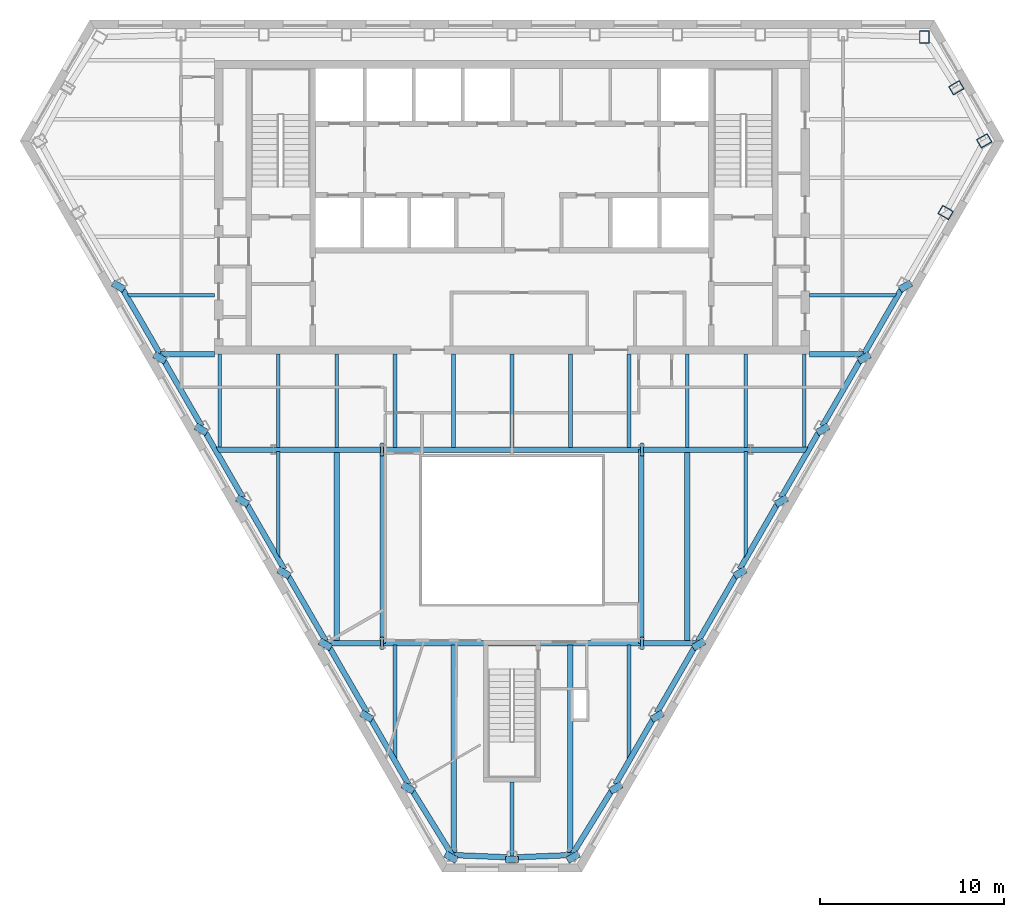
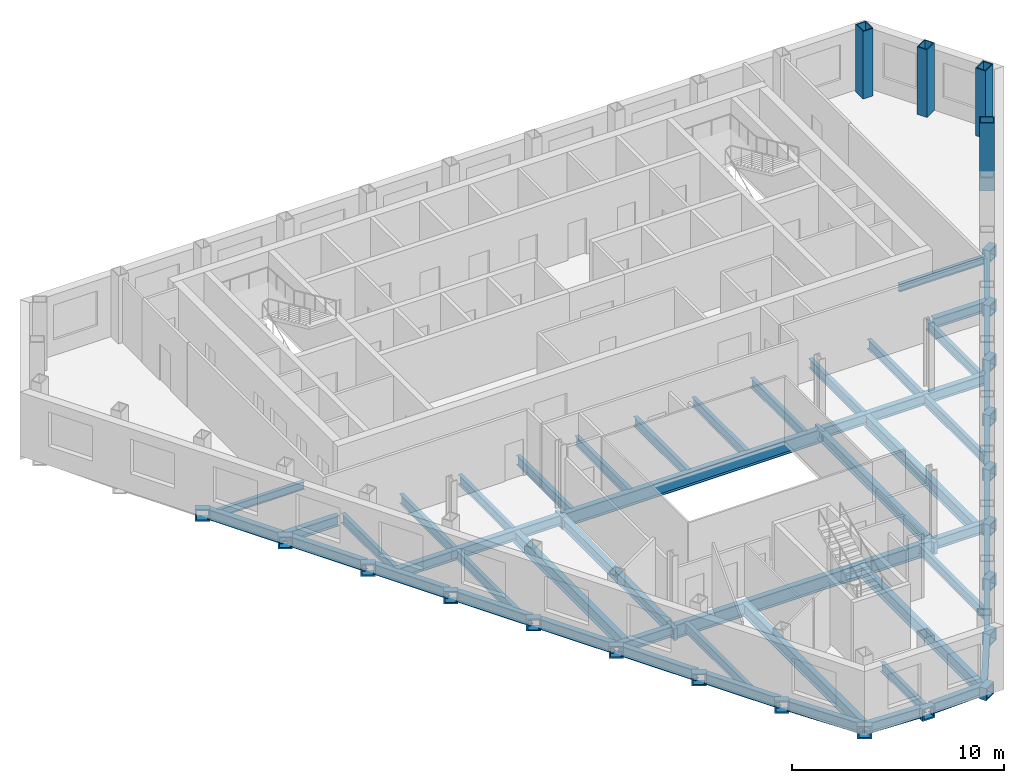
# One storey, part 2 of 10: 75 beams, 4 columns.
"""IFC4 building model written with IfcOpenShell, lengths in metres."""

import ifcopenshell
import ifcopenshell.guid

model = None  # the IFC model being written
_history = None  # IfcOwnerHistory: only IFC2X3 demands one
_inside = {}  # id of a spatial element -> (the spatial element, [elements in it])
_under = {}  # id of a project, library or spatial element -> (it, [spatial elements below it])
_declared = {}  # id of a project -> (the project, [libraries it declares])
_typed = {}  # id of a type object -> (the type object, [elements of that type])
_made_of = {}  # id of a material, layer set ... -> (it, [elements and type objects made of it])


def new_model(schema):
    """Start an empty IFC model of exactly this schema.

    Asked for "IFC4X3", IfcOpenShell would pick the latest addendum, in which some entities
    have other attributes; the version numbers below select the first issue.
    IFC2X3 requires an IfcOwnerHistory on every rooted entity: one is made here for all.
    """
    global model, _history
    if schema == "IFC4X3":
        model = ifcopenshell.file(schema_version=(4, 3, 0, 0))
    else:
        model = ifcopenshell.file(schema=schema)
    _inside.clear()
    _under.clear()
    _declared.clear()
    _typed.clear()
    _made_of.clear()
    _history = None
    if model.schema == "IFC2X3":
        org = make("IfcOrganization", Name="unknown")
        user = make(
            "IfcPersonAndOrganization",
            ThePerson=make("IfcPerson", FamilyName="unknown"),
            TheOrganization=org,
        )
        app = make(
            "IfcApplication",
            ApplicationDeveloper=org,
            Version="unknown",
            ApplicationFullName="unknown",
            ApplicationIdentifier="unknown",
        )
        _history = make(
            "IfcOwnerHistory",
            OwningUser=user,
            OwningApplication=app,
            ChangeAction="ADDED",
            CreationDate=0,
        )
    return model


def make(cls, **values):
    """One entity of the class cls with the attributes given. An attribute that is None is left unset."""
    return model.create_entity(
        cls, **{name: value for name, value in values.items() if value is not None}
    )


def rooted(cls, **values):
    """An entity with a GlobalId (a new one), such as an element, a storey or a relation."""
    return make(cls, GlobalId=ifcopenshell.guid.new(), OwnerHistory=_history, **values)


def si_unit(unit_type, name, prefix=None):
    """IfcSIUnit, for example si_unit("LENGTHUNIT", "METRE", prefix="MILLI")."""
    return make("IfcSIUnit", UnitType=unit_type, Prefix=prefix, Name=name)


def assignment(units):
    """IfcUnitAssignment: the units of a project."""
    return None if units is None else make("IfcUnitAssignment", Units=units)


def point(xyz):
    """IfcCartesianPoint."""
    return None if xyz is None else make("IfcCartesianPoint", Coordinates=xyz)


def direction(xyz):
    """IfcDirection."""
    return None if xyz is None else make("IfcDirection", DirectionRatios=xyz)


def frame(location, z_axis=None, x_axis=None):
    """IfcAxis2Placement3D, a coordinate frame: its origin and axes. An axis left out is left unset."""
    return make(
        "IfcAxis2Placement3D",
        Location=point(location),
        Axis=direction(z_axis),
        RefDirection=direction(x_axis),
    )


def frame_2d(location, x_axis=None):
    """IfcAxis2Placement2D, a coordinate frame in the plane: its origin and x axis."""
    return make(
        "IfcAxis2Placement2D", Location=point(location), RefDirection=direction(x_axis)
    )


def origin():
    """The frame at (0, 0, 0) with its axes left unset."""
    return frame((0.0, 0.0, 0.0))


def origin_2d():
    """The frame at (0, 0) in the plane with its x axis left unset."""
    return frame_2d((0.0, 0.0))


def place(relative_to, where):
    """IfcLocalPlacement: puts the frame where relative to a parent placement (None: the world)."""
    return make(
        "IfcLocalPlacement", PlacementRelTo=relative_to, RelativePlacement=where
    )


def context(
    kind, dimensions, precision=None, world=None, true_north=None, identifier=None
):
    """IfcGeometricRepresentationContext, for example the 3D "Model" context."""
    return make(
        "IfcGeometricRepresentationContext",
        ContextIdentifier=identifier,
        ContextType=kind,
        CoordinateSpaceDimension=dimensions,
        Precision=precision,
        WorldCoordinateSystem=world,
        TrueNorth=true_north,
    )


def subcontext(parent, identifier, kind, view, scale=None):
    """IfcGeometricRepresentationSubContext, for example "Body" below "Model"."""
    return make(
        "IfcGeometricRepresentationSubContext",
        ContextIdentifier=identifier,
        ContextType=kind,
        ParentContext=parent,
        TargetScale=scale,
        TargetView=view,
    )


def project(units=None, contexts=None):
    """IfcProject with its units and contexts."""
    return rooted(
        "IfcProject",
        Name="project",
        RepresentationContexts=contexts,
        UnitsInContext=assignment(units),
    )


def spatial(cls, under=None, at=None, **own):
    """A site, building, storey or space (cls), placed at a placement, below another one or the project."""
    s = rooted(cls, ObjectPlacement=at, **own)
    if under is not None:
        _under.setdefault(under.id(), (under, []))[1].append(s)
    return s


def profile(cls, at=None, kind="AREA", **sizes):
    """A parametric profile (cls). Its sizes go by their IFC names, for example OverallWidth=200.0."""
    return make(cls, ProfileType=kind, Position=at, **sizes)


def hollow_rectangle(**sizes):
    """IfcRectangleHollowProfileDef."""
    return profile("IfcRectangleHollowProfileDef", **sizes)


def i_section(**sizes):
    """IfcIShapeProfileDef."""
    return profile("IfcIShapeProfileDef", **sizes)


def extrude(swept, where, along, depth):
    """IfcExtrudedAreaSolid: the profile swept, set in the frame where, extruded along a direction by depth."""
    return make(
        "IfcExtrudedAreaSolid",
        SweptArea=swept,
        Position=where,
        ExtrudedDirection=direction(along),
        Depth=depth,
    )


def clip(a, b, op="DIFFERENCE"):
    """IfcBooleanClippingResult: the solid a cut by the half space b."""
    return make(
        "IfcBooleanClippingResult", Operator=op, FirstOperand=a, SecondOperand=b
    )


def halfspace(plane, agree):
    """IfcHalfSpaceSolid: all space on one side of the plane z = 0 of the frame plane."""
    return make(
        "IfcHalfSpaceSolid",
        BaseSurface=make("IfcPlane", Position=plane),
        AgreementFlag=agree,
    )


def shape(context_of_items, identifier, shape_type, items):
    """IfcShapeRepresentation: the items that make up one representation, for example the "Body"."""
    return make(
        "IfcShapeRepresentation",
        ContextOfItems=context_of_items,
        RepresentationIdentifier=identifier,
        RepresentationType=shape_type,
        Items=items,
    )


def material(Name=None, Category=None):
    """IfcMaterial."""
    return make("IfcMaterial", Name=Name, Category=Category)


def material_profile(
    of_material, cross_section, Name=None, Category=None, Priority=None
):
    """IfcMaterialProfile: a cross section and its material."""
    return make(
        "IfcMaterialProfile",
        Name=Name,
        Material=of_material,
        Profile=cross_section,
        Priority=Priority,
        Category=Category,
    )


def profile_set(profiles, Name=None, composite=None):
    """IfcMaterialProfileSet."""
    return make(
        "IfcMaterialProfileSet",
        Name=Name,
        MaterialProfiles=profiles,
        CompositeProfile=composite,
    )


def made_of(thing, what):
    """Note that an element or type object is made of a material, layer set ...; save() writes the relation."""
    if what is not None:
        _made_of.setdefault(what.id(), (what, []))[1].append(thing)
    return thing


def type_object(cls, material=None, **own):
    """A type object (cls), such as IfcWallType, which elements share."""
    return made_of(rooted(cls, **own), material)


def element(
    cls,
    number,
    at=None,
    inside=None,
    cuts=None,
    type_object=None,
    material=None,
    context=None,
    identifier="Body",
    shape_type=None,
    held_by="IfcProductDefinitionShape",
    body=None,
    shapes=None,
    **own,
):
    """One element of the class cls, such as IfcWall. Its Tag is "e" and its number.

    at: its placement. inside: the storey or other place that contains it. cuts: it is an
    opening in that element (IfcRelVoidsElement). A single representation is given by context,
    identifier, shape_type and body (its items); several are given by shapes. held_by: the class
    of the entity that holds the representations. save() writes the other relations.
    """
    e = rooted(cls, Tag="e%d" % number, ObjectPlacement=at, **own)
    if body is not None:
        shapes = [shape(context, identifier, shape_type, body)]
    if shapes is not None:
        e.Representation = make(held_by, Representations=shapes)
    if inside is not None:
        _inside.setdefault(inside.id(), (inside, []))[1].append(e)
    if cuts is not None:
        rooted(
            "IfcRelVoidsElement", RelatingBuildingElement=cuts, RelatedOpeningElement=e
        )
    if type_object is not None:
        _typed.setdefault(type_object.id(), (type_object, []))[1].append(e)
    return made_of(e, material)


def aggregate(whole, parts):
    """IfcRelAggregates: a whole, such as a stair, and the parts it consists of."""
    return rooted("IfcRelAggregates", RelatingObject=whole, RelatedObjects=parts)


def save(model, path):
    """Write the relations noted so far, then the file.

    IfcRelAggregates (storeys below a building ...), IfcRelContainedInSpatialStructure (elements
    in a storey), IfcRelDefinesByType, IfcRelAssociatesMaterial and IfcRelDeclares: one each for
    every whole, place, type object, material and project.
    """
    for whole, parts in _under.values():
        aggregate(whole, parts)
    for where, things in _inside.values():
        rooted(
            "IfcRelContainedInSpatialStructure",
            RelatedElements=things,
            RelatingStructure=where,
        )
    for kind, things in _typed.values():
        rooted("IfcRelDefinesByType", RelatedObjects=things, RelatingType=kind)
    for what, things in _made_of.values():
        rooted("IfcRelAssociatesMaterial", RelatedObjects=things, RelatingMaterial=what)
    for by, libraries in _declared.values():
        rooted("IfcRelDeclares", RelatingContext=by, RelatedDefinitions=libraries)
    model.write(path)


model = new_model("IFC4")

# Units and contexts
model_context = context("Model", 3, precision=1e-05, world=origin(), true_north=direction((0.0, 1.0)))
body_context = subcontext(model_context, "Body", "Model", "MODEL_VIEW")
ifc_project = project(units=[si_unit("LENGTHUNIT", "METRE"), si_unit("AREAUNIT", "SQUARE_METRE"), si_unit("VOLUMEUNIT", "CUBIC_METRE"), si_unit("PLANEANGLEUNIT", "RADIAN"), si_unit("MASSUNIT", "GRAM", prefix="KILO")], contexts=[model_context])

# Site, building, storey
site_placement = place(None, origin())
site = spatial("IfcSite", under=ifc_project, at=site_placement, CompositionType="ELEMENT")
building_placement = place(site_placement, origin())
building = spatial("IfcBuilding", under=site, at=building_placement, Name="Njiva Tower", CompositionType="ELEMENT")
storey_placement = place(building_placement, frame((0.0, 0.0, 192.6)))
storey = spatial("IfcBuildingStorey", under=building, at=storey_placement, Name="L42", CompositionType="ELEMENT", Elevation=192.6)

# Columns
ifc_material = material(Name="Steel S355 J2", Category="steel")
ifc_material_profile_1 = material_profile(ifc_material, hollow_rectangle(XDim=0.55, YDim=0.7, WallThickness=0.05, at=origin_2d()), Name="BOX 700x550x50")
ifc_profile_set_1 = profile_set([ifc_material_profile_1], Name="Steel S355 J2")
column_type = type_object("IfcColumnType", Name="C11 Perimeter tube column BOX 700x550x50", PredefinedType="COLUMN", material=ifc_profile_set_1)
for number, where, z_axis, x_axis, name in (
    (1, (22.461, 19.267, 0.0), (0.0, 0.0, 1.0), (-1.0, 0.0, 0.0), "Perimeter tube column S14-C01"),
    (2, (23.622, 9.714, 0.0), (0.0, 0.0, 1.0), (0.5, 0.866025403784, 0.0), "Perimeter tube column S14-C34"),
    (3, (25.723, 13.618, 0.0), (0.0, 0.0, 1.0), (-0.5, 0.866025403784, 0.0), "Perimeter tube column S14-C35"),
    (4, (24.207, 16.509, 0.0), (0.0, 0.0, 1.0), (-0.5, 0.866025403784, 0.0), "Perimeter tube column S14-C36"),
):
    element("IfcColumn", number, at=place(storey_placement, frame(where, z_axis=z_axis, x_axis=x_axis)), inside=storey, type_object=column_type, Name=name, PredefinedType="COLUMN", context=body_context, shape_type="SweptSolid", body=[
        extrude(hollow_rectangle(XDim=0.55, YDim=0.7, WallThickness=0.05, at=origin_2d()), origin(), (0.0, 0.0, 1.0), 3.9),
    ])

# Beams
ifc_material_profile_2 = material_profile(ifc_material, i_section(OverallWidth=0.3, OverallDepth=0.69, WebThickness=0.0145, FlangeThickness=0.027, at=origin_2d()), Name="HEA 700")
ifc_profile_set_2 = profile_set([ifc_material_profile_2], Name="Steel S355 J2")
beam_type_1 = type_object("IfcBeamType", Name="B12 Long-span floor joist HEA 700", PredefinedType="JOIST", material=ifc_profile_set_2)
beam_1_placement = place(storey_placement, frame((-9.55, -3.3, -0.545), z_axis=(0.0, -1.0, 0.0), x_axis=(1.0, 0.0, 0.0)))
element("IfcBeam", 5, at=beam_1_placement, inside=storey, type_object=beam_type_1, Name="Long-span floor joist S14-B055", PredefinedType="JOIST", context=body_context, shape_type="SweptSolid", body=[
    extrude(i_section(OverallWidth=0.3, OverallDepth=0.69, WebThickness=0.0145, FlangeThickness=0.027, at=origin_2d()), origin(), (0.0, 0.0, 1.0), 10.35),
])
beam_2_placement = place(storey_placement, frame((-3.183, -13.85, -0.545), z_axis=(0.0, -1.0, 0.0), x_axis=(1.0, 0.0, 0.0)))
element("IfcBeam", 6, at=beam_2_placement, inside=storey, type_object=beam_type_1, Name="Long-span floor joist S14-B059", PredefinedType="JOIST", context=body_context, shape_type="SweptSolid", body=[
    extrude(i_section(OverallWidth=0.3, OverallDepth=0.69, WebThickness=0.0145, FlangeThickness=0.027, at=origin_2d()), origin(), (0.0, 0.0, 1.0), 11.361),
])
beam_3_placement = place(storey_placement, frame((3.183, -13.85, -0.545), z_axis=(0.0, -1.0, 0.0), x_axis=(1.0, 0.0, 0.0)))
element("IfcBeam", 7, at=beam_3_placement, inside=storey, type_object=beam_type_1, Name="Long-span floor joist S14-B065", PredefinedType="JOIST", context=body_context, shape_type="Clipping", body=[
    clip(extrude(i_section(OverallWidth=0.3, OverallDepth=0.69, WebThickness=0.0145, FlangeThickness=0.027, at=origin_2d()), origin(), (0.0, 0.0, 1.0), 11.623), halfspace(frame((0.0436, 0.0, 11.3457), z_axis=(0.866026552831, 0.0, 0.499998009787), x_axis=(0.0, 1.0, 0.0)), False)),
])
beam_4_placement = place(storey_placement, frame((9.55, -3.3, -0.545), z_axis=(0.0, -1.0, 0.0), x_axis=(1.0, 0.0, 0.0)))
element("IfcBeam", 8, at=beam_4_placement, inside=storey, type_object=beam_type_1, Name="Long-span floor joist S14-B070", PredefinedType="JOIST", context=body_context, shape_type="SweptSolid", body=[
    extrude(i_section(OverallWidth=0.3, OverallDepth=0.69, WebThickness=0.0145, FlangeThickness=0.027, at=origin_2d()), origin(), (0.0, 0.0, 1.0), 10.35),
])
ifc_material_profile_3 = material_profile(ifc_material, hollow_rectangle(XDim=0.7, YDim=0.7, WallThickness=0.08, at=origin_2d()), Name="BOX 700x700x80")
ifc_profile_set_3 = profile_set([ifc_material_profile_3], Name="Steel S355 J2")
beam_type_2 = type_object("IfcBeamType", Name="B19 Column jog beam BOX 700x700x80", PredefinedType="BEAM", material=ifc_profile_set_3)
for number, where, z_axis, x_axis, name in (
    (9, (-21.529, 5.534, -0.55), (0.500102178127, 0.865966403178, 0.0), (-0.865966403178, 0.500102178127, 0.0), "Column jog beam S14-B026"),
    (10, (-19.275, 1.63, -0.55), (0.500102178127, 0.865966403178, 0.0), (-0.865966403178, 0.500102178127, 0.0), "Column jog beam S14-B027"),
    (11, (-17.021, -2.274, -0.55), (0.500102178127, 0.865966403178, 0.0), (-0.865966403178, 0.500102178127, 0.0), "Column jog beam S14-B028"),
):
    element("IfcBeam", number, at=place(storey_placement, frame(where, z_axis=z_axis, x_axis=x_axis)), inside=storey, type_object=beam_type_2, Name=name, PredefinedType="BEAM", context=body_context, shape_type="SweptSolid", body=[
        extrude(hollow_rectangle(XDim=0.7, YDim=0.7, WallThickness=0.08, at=origin_2d()), origin(), (0.0, 0.0, 1.0), 0.3799),
    ])
beam_5_placement = place(storey_placement, frame((-14.767, -6.178, -0.55), z_axis=(0.498964444867, 0.866622456874, 0.0), x_axis=(-0.866622456874, 0.498964444867, 0.0)))
element("IfcBeam", 12, at=beam_5_placement, inside=storey, type_object=beam_type_2, Name="Column jog beam S14-B029", PredefinedType="BEAM", context=body_context, shape_type="SweptSolid", body=[
    extrude(hollow_rectangle(XDim=0.7, YDim=0.7, WallThickness=0.08, at=origin_2d()), origin(), (0.0, 0.0, 1.0), 0.3808),
])
for number, where, z_axis, x_axis, name in (
    (13, (-12.513, -10.081, -0.55), (0.500102178127, 0.865966403178, 0.0), (-0.865966403178, 0.500102178127, 0.0), "Column jog beam S14-B030"),
    (14, (-10.26, -13.985, -0.55), (0.500102178127, 0.865966403178, 0.0), (-0.865966403178, 0.500102178127, 0.0), "Column jog beam S14-B031"),
    (15, (-8.006, -17.889, -0.55), (0.500102178127, 0.865966403178, 0.0), (-0.865966403178, 0.500102178127, 0.0), "Column jog beam S14-B032"),
    (16, (-5.752, -21.792, -0.55), (0.500102178127, 0.865966403178, 0.0), (-0.865966403178, 0.500102178127, 0.0), "Column jog beam S14-B035"),
    (17, (-3.421, -25.563, -0.55), (0.500102178127, 0.865966403178, 0.0), (-0.865966403178, 0.500102178127, 0.0), "Column jog beam S14-B036"),
):
    element("IfcBeam", number, at=place(storey_placement, frame(where, z_axis=z_axis, x_axis=x_axis)), inside=storey, type_object=beam_type_2, Name=name, PredefinedType="BEAM", context=body_context, shape_type="SweptSolid", body=[
        extrude(hollow_rectangle(XDim=0.7, YDim=0.7, WallThickness=0.08, at=origin_2d()), origin(), (0.0, 0.0, 1.0), 0.3799),
    ])
beam_6_placement = place(storey_placement, frame((0.0, -25.704, -0.55), z_axis=(0.0, 1.0, 0.0), x_axis=(-1.0, 0.0, 0.0)))
element("IfcBeam", 18, at=beam_6_placement, inside=storey, type_object=beam_type_2, Name="Column jog beam S14-B037", PredefinedType="BEAM", context=body_context, shape_type="SweptSolid", body=[
    extrude(hollow_rectangle(XDim=0.7, YDim=0.7, WallThickness=0.08, at=origin_2d()), origin(), (0.0, 0.0, 1.0), 0.345),
])
for number, where, z_axis, x_axis, name in (
    (19, (3.421, -25.563, -0.55), (-0.500102178127, 0.865966403178, 0.0), (-0.865966403178, -0.500102178127, 0.0), "Column jog beam S14-B038"),
    (20, (5.752, -21.792, -0.55), (-0.500102178127, 0.865966403178, 0.0), (-0.865966403178, -0.500102178127, 0.0), "Column jog beam S14-B039"),
    (21, (8.006, -17.889, -0.55), (-0.500102178127, 0.865966403178, 0.0), (-0.865966403178, -0.500102178127, 0.0), "Column jog beam S14-B042"),
    (22, (10.26, -13.985, -0.55), (-0.500102178127, 0.865966403178, 0.0), (-0.865966403178, -0.500102178127, 0.0), "Column jog beam S14-B043"),
    (23, (12.513, -10.081, -0.55), (-0.500102178127, 0.865966403178, 0.0), (-0.865966403178, -0.500102178127, 0.0), "Column jog beam S14-B044"),
):
    element("IfcBeam", number, at=place(storey_placement, frame(where, z_axis=z_axis, x_axis=x_axis)), inside=storey, type_object=beam_type_2, Name=name, PredefinedType="BEAM", context=body_context, shape_type="SweptSolid", body=[
        extrude(hollow_rectangle(XDim=0.7, YDim=0.7, WallThickness=0.08, at=origin_2d()), origin(), (0.0, 0.0, 1.0), 0.3799),
    ])
beam_7_placement = place(storey_placement, frame((14.767, -6.178, -0.55), z_axis=(-0.498964444867, 0.866622456874, 0.0), x_axis=(-0.866622456874, -0.498964444867, 0.0)))
element("IfcBeam", 24, at=beam_7_placement, inside=storey, type_object=beam_type_2, Name="Column jog beam S14-B045", PredefinedType="BEAM", context=body_context, shape_type="SweptSolid", body=[
    extrude(hollow_rectangle(XDim=0.7, YDim=0.7, WallThickness=0.08, at=origin_2d()), origin(), (0.0, 0.0, 1.0), 0.3808),
])
for number, where, z_axis, x_axis, name in (
    (25, (17.021, -2.274, -0.55), (-0.500102178127, 0.865966403178, 0.0), (-0.865966403178, -0.500102178127, 0.0), "Column jog beam S14-B046"),
    (26, (19.275, 1.63, -0.55), (-0.500102178127, 0.865966403178, 0.0), (-0.865966403178, -0.500102178127, 0.0), "Column jog beam S14-B047"),
    (27, (21.529, 5.534, -0.55), (-0.500102178127, 0.865966403178, 0.0), (-0.865966403178, -0.500102178127, 0.0), "Column jog beam S14-B048"),
):
    element("IfcBeam", number, at=place(storey_placement, frame(where, z_axis=z_axis, x_axis=x_axis)), inside=storey, type_object=beam_type_2, Name=name, PredefinedType="BEAM", context=body_context, shape_type="SweptSolid", body=[
        extrude(hollow_rectangle(XDim=0.7, YDim=0.7, WallThickness=0.08, at=origin_2d()), origin(), (0.0, 0.0, 1.0), 0.3799),
    ])
for number, where, z_axis, x_axis, name in (
    (28, (7.17, -3.2, -0.55), (-1.0, 0.0, 0.0), (0.0, -1.0, 0.0), "Column jog beam S14-B041"),
    (29, (-7.17, -3.2, -0.55), (1.0, 0.0, 0.0), (0.0, 1.0, 0.0), "Column jog beam S14-B034"),
    (30, (7.17, -13.75, -0.55), (-1.0, 0.0, 0.0), (0.0, -1.0, 0.0), "Column jog beam S14-B040"),
    (31, (-7.17, -13.75, -0.55), (1.0, 0.0, 0.0), (0.0, 1.0, 0.0), "Column jog beam S14-B033"),
):
    element("IfcBeam", number, at=place(storey_placement, frame(where, z_axis=z_axis, x_axis=x_axis)), inside=storey, type_object=beam_type_2, Name=name, PredefinedType="BEAM", context=body_context, shape_type="SweptSolid", body=[
        extrude(hollow_rectangle(XDim=0.7, YDim=0.7, WallThickness=0.08, at=origin_2d()), origin(), (0.0, 0.0, 1.0), 0.18),
    ])
ifc_material_profile_4 = material_profile(ifc_material, i_section(OverallWidth=0.3, OverallDepth=0.59, WebThickness=0.013, FlangeThickness=0.025, at=origin_2d()), Name="HEA 600")
ifc_profile_set_4 = profile_set([ifc_material_profile_4], Name="Steel S355 J2")
beam_type_3 = type_object("IfcBeamType", Name="B27 Short-span spandrel beam HEA 600", PredefinedType="SPANDREL", material=ifc_profile_set_4)
for number, where, z_axis, x_axis, name in (
    (32, (-21.191, 5.504, -0.495), (0.499928631667, -0.86606660439, 0.0), (0.86606660439, 0.499928631667, 0.0), "Short-span spandrel beam S14-B091"),
    (33, (-18.937, 1.6, -0.495), (0.499928631667, -0.86606660439, 0.0), (0.86606660439, 0.499928631667, 0.0), "Short-span spandrel beam S14-B093"),
    (34, (-16.683, -2.304, -0.495), (0.499928631667, -0.86606660439, 0.0), (0.86606660439, 0.499928631667, 0.0), "Short-span spandrel beam S14-B096"),
):
    element("IfcBeam", number, at=place(storey_placement, frame(where, z_axis=z_axis, x_axis=x_axis)), inside=storey, type_object=beam_type_3, Name=name, PredefinedType="SPANDREL", context=body_context, shape_type="SweptSolid", body=[
        extrude(i_section(OverallWidth=0.3, OverallDepth=0.59, WebThickness=0.013, FlangeThickness=0.025, at=origin_2d()), origin(), (0.0, 0.0, 1.0), 4.0586),
    ])
beam_8_placement = place(storey_placement, frame((-14.429, -6.208, -0.495), z_axis=(0.49985047257, -0.866111716277, 0.0), x_axis=(0.866111716277, 0.49985047257, 0.0)))
element("IfcBeam", 35, at=beam_8_placement, inside=storey, type_object=beam_type_3, Name="Short-span spandrel beam S14-B098", PredefinedType="SPANDREL", context=body_context, shape_type="SweptSolid", body=[
    extrude(i_section(OverallWidth=0.3, OverallDepth=0.59, WebThickness=0.013, FlangeThickness=0.025, at=origin_2d()), origin(), (0.0, 0.0, 1.0), 4.0572),
])
for number, where, z_axis, x_axis, name in (
    (36, (-12.176, -10.111, -0.495), (0.500035331196, -0.866005004348, 0.0), (0.866005004348, 0.500035331196, 0.0), "Short-span spandrel beam S14-B101"),
    (37, (-9.922, -14.015, -0.495), (0.500035331196, -0.866005004348, 0.0), (0.866005004348, 0.500035331196, 0.0), "Short-span spandrel beam S14-B103"),
):
    element("IfcBeam", number, at=place(storey_placement, frame(where, z_axis=z_axis, x_axis=x_axis)), inside=storey, type_object=beam_type_3, Name=name, PredefinedType="SPANDREL", context=body_context, shape_type="SweptSolid", body=[
        extrude(i_section(OverallWidth=0.3, OverallDepth=0.59, WebThickness=0.013, FlangeThickness=0.025, at=origin_2d()), origin(), (0.0, 0.0, 1.0), 4.0577),
    ])
beam_9_placement = place(storey_placement, frame((-7.668, -17.919, -0.495), z_axis=(0.49985047257, -0.866111716277, 0.0), x_axis=(0.866111716277, 0.49985047257, 0.0)))
element("IfcBeam", 38, at=beam_9_placement, inside=storey, type_object=beam_type_3, Name="Short-span spandrel beam S14-B106", PredefinedType="SPANDREL", context=body_context, shape_type="SweptSolid", body=[
    extrude(i_section(OverallWidth=0.3, OverallDepth=0.59, WebThickness=0.013, FlangeThickness=0.025, at=origin_2d()), origin(), (0.0, 0.0, 1.0), 4.0572),
])
beam_10_placement = place(storey_placement, frame((-5.404, -21.819, -0.495), z_axis=(0.525663730248, -0.850692448951, 0.0), x_axis=(0.850692448951, 0.525663730248, 0.0)))
element("IfcBeam", 39, at=beam_10_placement, inside=storey, type_object=beam_type_3, Name="Short-span spandrel beam S14-B108", PredefinedType="SPANDREL", context=body_context, shape_type="Clipping", body=[
    clip(extrude(i_section(OverallWidth=0.3, OverallDepth=0.59, WebThickness=0.013, FlangeThickness=0.025, at=origin_2d()), origin(), (0.0, 0.0, 1.0), 4.1003), halfspace(frame((-0.0259, 0.0, 3.9714), z_axis=(-0.525663730248, 0.0, 0.850692448951), x_axis=(0.0, 1.0, 0.0)), False)),
])
beam_11_placement = place(storey_placement, frame((-3.161, -25.29, -0.495), z_axis=(0.999163512654, -0.040893458908, 0.0), x_axis=(0.040893458908, 0.999163512654, 0.0)))
element("IfcBeam", 40, at=beam_11_placement, inside=storey, type_object=beam_type_3, Name="Short-span spandrel beam S14-B110", PredefinedType="SPANDREL", context=body_context, shape_type="SweptSolid", body=[
    extrude(i_section(OverallWidth=0.3, OverallDepth=0.59, WebThickness=0.013, FlangeThickness=0.025, at=origin_2d()), origin(), (0.0, 0.0, 1.0), 2.9345),
])
beam_12_placement = place(storey_placement, frame((0.229, -25.41, -0.495), z_axis=(0.999155868616, 0.041079802957, 0.0), x_axis=(-0.041079802957, 0.999155868616, 0.0)))
element("IfcBeam", 41, at=beam_12_placement, inside=storey, type_object=beam_type_3, Name="Short-span spandrel beam S14-B114", PredefinedType="SPANDREL", context=body_context, shape_type="Clipping", body=[
    clip(extrude(i_section(OverallWidth=0.3, OverallDepth=0.59, WebThickness=0.013, FlangeThickness=0.025, at=origin_2d()), origin(), (0.0, 0.0, 1.0), 3.0605), halfspace(frame((-0.0272, 0.0, 2.9291), z_axis=(-0.535152145921, 0.0, 0.844755692918), x_axis=(0.0, 1.0, 0.0)), False)),
])
beam_13_placement = place(storey_placement, frame((3.313, -25.202, -0.495), z_axis=(0.525765866167, 0.850629328188, 0.0), x_axis=(-0.850629328188, 0.525765866167, 0.0)))
element("IfcBeam", 42, at=beam_13_placement, inside=storey, type_object=beam_type_3, Name="Short-span spandrel beam S14-B115", PredefinedType="SPANDREL", context=body_context, shape_type="SweptSolid", body=[
    extrude(i_section(OverallWidth=0.3, OverallDepth=0.59, WebThickness=0.013, FlangeThickness=0.025, at=origin_2d()), origin(), (0.0, 0.0, 1.0), 3.9771),
])
beam_14_placement = place(storey_placement, frame((5.64, -21.433, -0.495), z_axis=(0.49985047257, 0.866111716277, 0.0), x_axis=(-0.866111716277, 0.49985047257, 0.0)))
element("IfcBeam", 43, at=beam_14_placement, inside=storey, type_object=beam_type_3, Name="Short-span spandrel beam S14-B118", PredefinedType="SPANDREL", context=body_context, shape_type="SweptSolid", body=[
    extrude(i_section(OverallWidth=0.3, OverallDepth=0.59, WebThickness=0.013, FlangeThickness=0.025, at=origin_2d()), origin(), (0.0, 0.0, 1.0), 4.0572),
])
for number, where, z_axis, x_axis, name in (
    (44, (7.893, -17.529, -0.495), (0.500035331196, 0.866005004348, 0.0), (-0.866005004348, 0.500035331196, 0.0), "Short-span spandrel beam S14-B120"),
    (45, (10.147, -13.625, -0.495), (0.500035331196, 0.866005004348, 0.0), (-0.866005004348, 0.500035331196, 0.0), "Short-span spandrel beam S14-B123"),
):
    element("IfcBeam", number, at=place(storey_placement, frame(where, z_axis=z_axis, x_axis=x_axis)), inside=storey, type_object=beam_type_3, Name=name, PredefinedType="SPANDREL", context=body_context, shape_type="SweptSolid", body=[
        extrude(i_section(OverallWidth=0.3, OverallDepth=0.59, WebThickness=0.013, FlangeThickness=0.025, at=origin_2d()), origin(), (0.0, 0.0, 1.0), 4.0577),
    ])
beam_15_placement = place(storey_placement, frame((12.401, -9.722, -0.495), z_axis=(0.49985047257, 0.866111716277, 0.0), x_axis=(-0.866111716277, 0.49985047257, 0.0)))
element("IfcBeam", 46, at=beam_15_placement, inside=storey, type_object=beam_type_3, Name="Short-span spandrel beam S14-B125", PredefinedType="SPANDREL", context=body_context, shape_type="SweptSolid", body=[
    extrude(i_section(OverallWidth=0.3, OverallDepth=0.59, WebThickness=0.013, FlangeThickness=0.025, at=origin_2d()), origin(), (0.0, 0.0, 1.0), 4.0572),
])
for number, where, z_axis, x_axis, name in (
    (47, (14.654, -5.819, -0.495), (0.499928631667, 0.86606660439, 0.0), (-0.86606660439, 0.499928631667, 0.0), "Short-span spandrel beam S14-B128"),
    (48, (16.908, -1.915, -0.495), (0.499928631667, 0.86606660439, 0.0), (-0.86606660439, 0.499928631667, 0.0), "Short-span spandrel beam S14-B130"),
    (49, (19.162, 1.989, -0.495), (0.499928631667, 0.86606660439, 0.0), (-0.86606660439, 0.499928631667, 0.0), "Short-span spandrel beam S14-B133"),
):
    element("IfcBeam", number, at=place(storey_placement, frame(where, z_axis=z_axis, x_axis=x_axis)), inside=storey, type_object=beam_type_3, Name=name, PredefinedType="SPANDREL", context=body_context, shape_type="SweptSolid", body=[
        extrude(i_section(OverallWidth=0.3, OverallDepth=0.59, WebThickness=0.013, FlangeThickness=0.025, at=origin_2d()), origin(), (0.0, 0.0, 1.0), 4.0586),
    ])
ifc_material_profile_5 = material_profile(ifc_material, i_section(OverallWidth=0.3, OverallDepth=0.59, WebThickness=0.013, FlangeThickness=0.025, at=origin_2d()), Name="HEA 600")
ifc_profile_set_5 = profile_set([ifc_material_profile_5], Name="Steel S355 J2")
beam_type_4 = type_object("IfcBeamType", Name="B28 Floor girder HEA 600", PredefinedType="BEAM", material=ifc_profile_set_5)
for number, where, z_axis, x_axis, name in (
    (50, (-13.0, -3.2, -0.495), (1.0, 0.0, 0.0), (0.0, 1.0, 0.0), "Floor girder S14-B014"),
    (51, (7.05, -3.2, -0.495), (1.0, 0.0, 0.0), (0.0, 1.0, 0.0), "Floor girder S14-B019"),
):
    element("IfcBeam", number, at=place(storey_placement, frame(where, z_axis=z_axis, x_axis=x_axis)), inside=storey, type_object=beam_type_4, Name=name, PredefinedType="BEAM", context=body_context, shape_type="SweptSolid", body=[
        extrude(i_section(OverallWidth=0.3, OverallDepth=0.59, WebThickness=0.013, FlangeThickness=0.025, at=origin_2d()), origin(), (0.0, 0.0, 1.0), 5.95),
    ])
ifc_material_profile_6 = material_profile(ifc_material, i_section(OverallWidth=0.3, OverallDepth=0.59, WebThickness=0.013, FlangeThickness=0.025, at=origin_2d()), Name="HEA 600")
ifc_profile_set_6 = profile_set([ifc_material_profile_6], Name="Steel S355 J2")
beam_type_5 = type_object("IfcBeamType", Name="B29 Short-span floor girder HEA 600", PredefinedType="BEAM", material=ifc_profile_set_6)
beam_16_placement = place(storey_placement, frame((-16.158, -3.2, -0.495), z_axis=(1.0, 0.0, 0.0), x_axis=(0.0, 1.0, 0.0)))
element("IfcBeam", 52, at=beam_16_placement, inside=storey, type_object=beam_type_5, Name="Short-span floor girder S14-B013", PredefinedType="BEAM", context=body_context, shape_type="Clipping", body=[
    clip(extrude(i_section(OverallWidth=0.3, OverallDepth=0.59, WebThickness=0.013, FlangeThickness=0.025, at=origin_2d()), origin(), (0.0, 0.0, 1.0), 3.158), halfspace(frame((-0.025, 0.0, 0.1217), z_axis=(-0.499998009787, 0.0, -0.866026552831), x_axis=(0.0, -1.0, 0.0)), False)),
])
beam_17_placement = place(storey_placement, frame((13.0, -3.2, -0.495), z_axis=(1.0, 0.0, 0.0), x_axis=(0.0, 1.0, 0.0)))
element("IfcBeam", 53, at=beam_17_placement, inside=storey, type_object=beam_type_5, Name="Short-span floor girder S14-B020", PredefinedType="BEAM", context=body_context, shape_type="Clipping", body=[
    clip(extrude(i_section(OverallWidth=0.3, OverallDepth=0.59, WebThickness=0.013, FlangeThickness=0.025, at=origin_2d()), origin(), (0.0, 0.0, 1.0), 3.158), halfspace(frame((-0.025, 0.0, 3.0363), z_axis=(-0.499998009787, 0.0, 0.866026552831), x_axis=(0.0, 1.0, 0.0)), False)),
])
beam_18_placement = place(storey_placement, frame((-10.096, -13.75, -0.495), z_axis=(1.0, 0.0, 0.0), x_axis=(0.0, 1.0, 0.0)))
element("IfcBeam", 54, at=beam_18_placement, inside=storey, type_object=beam_type_5, Name="Short-span floor girder S14-B015", PredefinedType="BEAM", context=body_context, shape_type="Clipping", body=[
    clip(extrude(i_section(OverallWidth=0.3, OverallDepth=0.59, WebThickness=0.013, FlangeThickness=0.025, at=origin_2d()), origin(), (0.0, 0.0, 1.0), 3.046), halfspace(frame((-0.025, 0.0, 0.1212), z_axis=(-0.499998009787, 0.0, -0.866026552831), x_axis=(0.0, -1.0, 0.0)), False)),
])
beam_19_placement = place(storey_placement, frame((7.05, -13.75, -0.495), z_axis=(1.0, 0.0, 0.0), x_axis=(0.0, 1.0, 0.0)))
element("IfcBeam", 55, at=beam_19_placement, inside=storey, type_object=beam_type_5, Name="Short-span floor girder S14-B018", PredefinedType="BEAM", context=body_context, shape_type="Clipping", body=[
    clip(extrude(i_section(OverallWidth=0.3, OverallDepth=0.59, WebThickness=0.013, FlangeThickness=0.025, at=origin_2d()), origin(), (0.0, 0.0, 1.0), 3.046), halfspace(frame((-0.025, 0.0, 2.9248), z_axis=(-0.499998009787, 0.0, 0.866026552831), x_axis=(0.0, 1.0, 0.0)), False)),
])
beam_20_placement = place(storey_placement, frame((-19.189, 2.0, -0.495), z_axis=(1.0, 0.0, 0.0), x_axis=(0.0, 1.0, 0.0)))
element("IfcBeam", 56, at=beam_20_placement, inside=storey, type_object=beam_type_5, Name="Short-span floor girder S14-B011", PredefinedType="BEAM", context=body_context, shape_type="Clipping", body=[
    clip(extrude(i_section(OverallWidth=0.3, OverallDepth=0.59, WebThickness=0.013, FlangeThickness=0.025, at=origin_2d()), origin(), (0.0, 0.0, 1.0), 2.989), halfspace(frame((-0.025, 0.0, 0.1212), z_axis=(-0.499998009787, 0.0, -0.866026552831), x_axis=(0.0, -1.0, 0.0)), False)),
])
beam_21_placement = place(storey_placement, frame((16.2, 2.0, -0.495), z_axis=(1.0, 0.0, 0.0), x_axis=(0.0, 1.0, 0.0)))
element("IfcBeam", 57, at=beam_21_placement, inside=storey, type_object=beam_type_5, Name="Short-span floor girder S14-B022", PredefinedType="BEAM", context=body_context, shape_type="Clipping", body=[
    clip(extrude(i_section(OverallWidth=0.3, OverallDepth=0.59, WebThickness=0.013, FlangeThickness=0.025, at=origin_2d()), origin(), (0.0, 0.0, 1.0), 2.989), halfspace(frame((-0.025, 0.0, 2.8678), z_axis=(-0.499998009787, 0.0, 0.866026552831), x_axis=(0.0, 1.0, 0.0)), False)),
])
ifc_material_profile_7 = material_profile(ifc_material, i_section(OverallWidth=0.3, OverallDepth=0.59, WebThickness=0.013, FlangeThickness=0.025, at=origin_2d()), Name="HEA 600")
ifc_profile_set_7 = profile_set([ifc_material_profile_7], Name="Steel S355 J2")
beam_type_6 = type_object("IfcBeamType", Name="B30 Long-span atrium trimmer beam HEA 600", PredefinedType="BEAM", material=ifc_profile_set_7)
for number, where, z_axis, x_axis, name in (
    (58, (7.05, -13.75, -0.495), (0.0, 1.0, 0.0), (-1.0, 0.0, 0.0), "Long-span atrium trimmer beam S14-B079"),
    (59, (-7.05, -3.2, -0.495), (0.0, -1.0, 0.0), (1.0, 0.0, 0.0), "Long-span atrium trimmer beam S14-B075"),
):
    element("IfcBeam", number, at=place(storey_placement, frame(where, z_axis=z_axis, x_axis=x_axis)), inside=storey, type_object=beam_type_6, Name=name, PredefinedType="BEAM", context=body_context, shape_type="SweptSolid", body=[
        extrude(i_section(OverallWidth=0.3, OverallDepth=0.59, WebThickness=0.013, FlangeThickness=0.025, at=origin_2d()), origin(), (0.0, 0.0, 1.0), 10.55),
    ])
ifc_material_profile_8 = material_profile(ifc_material, i_section(OverallWidth=0.21, OverallDepth=0.55, WebThickness=0.0111, FlangeThickness=0.0172, at=origin_2d()), Name="IPE 550")
ifc_profile_set_8 = profile_set([ifc_material_profile_8], Name="Steel S355 J2")
beam_type_7 = type_object("IfcBeamType", Name="B31 Short-span floor joist IPE 550", PredefinedType="JOIST", material=ifc_profile_set_8)
beam_22_placement = place(storey_placement, frame((0.0, -21.3, -0.475), z_axis=(0.0, -1.0, 0.0), x_axis=(1.0, 0.0, 0.0)))
element("IfcBeam", 60, at=beam_22_placement, inside=storey, type_object=beam_type_7, Name="Short-span floor joist S14-B062", PredefinedType="JOIST", context=body_context, shape_type="SweptSolid", body=[
    extrude(i_section(OverallWidth=0.21, OverallDepth=0.55, WebThickness=0.0111, FlangeThickness=0.0172, at=origin_2d()), origin(), (0.0, 0.0, 1.0), 4.044),
])
ifc_material_profile_9 = material_profile(ifc_material, i_section(OverallWidth=0.21, OverallDepth=0.55, WebThickness=0.0111, FlangeThickness=0.0172, at=origin_2d()), Name="IPE 550")
ifc_profile_set_9 = profile_set([ifc_material_profile_9], Name="Steel S355 J2")
beam_type_8 = type_object("IfcBeamType", Name="B32 Floor joist IPE 550", PredefinedType="JOIST", material=ifc_profile_set_9)
for number, where, z_axis, x_axis, name in (
    (61, (-15.917, 1.995, -0.475), (0.0, -1.0, 0.0), (1.0, 0.0, 0.0), "Floor joist S14-B052"),
    (62, (-12.733, 1.995, -0.475), (0.0, -1.0, 0.0), (1.0, 0.0, 0.0), "Floor joist S14-B054"),
):
    element("IfcBeam", number, at=place(storey_placement, frame(where, z_axis=z_axis, x_axis=x_axis)), inside=storey, type_object=beam_type_8, Name=name, PredefinedType="JOIST", context=body_context, shape_type="SweptSolid", body=[
        extrude(i_section(OverallWidth=0.21, OverallDepth=0.55, WebThickness=0.0111, FlangeThickness=0.0172, at=origin_2d()), origin(), (0.0, 0.0, 1.0), 5.095),
    ])
beam_23_placement = place(storey_placement, frame((-12.733, -3.3, -0.475), z_axis=(0.0, -1.0, 0.0), x_axis=(1.0, 0.0, 0.0)))
element("IfcBeam", 63, at=beam_23_placement, inside=storey, type_object=beam_type_8, Name="Floor joist S14-B053", PredefinedType="JOIST", context=body_context, shape_type="Clipping", body=[
    clip(extrude(i_section(OverallWidth=0.21, OverallDepth=0.55, WebThickness=0.0111, FlangeThickness=0.0172, at=origin_2d()), origin(), (0.0, 0.0, 1.0), 5.848), halfspace(frame((-0.0436, 0.0, 5.571), z_axis=(-0.866026552831, 0.0, 0.499998009787), x_axis=(0.0, 1.0, 0.0)), False)),
])
for number, where, z_axis, x_axis, name in (
    (64, (-9.55, 1.995, -0.475), (0.0, -1.0, 0.0), (1.0, 0.0, 0.0), "Floor joist S14-B056"),
    (65, (-6.367, 1.995, -0.475), (0.0, -1.0, 0.0), (1.0, 0.0, 0.0), "Floor joist S14-B058"),
):
    element("IfcBeam", number, at=place(storey_placement, frame(where, z_axis=z_axis, x_axis=x_axis)), inside=storey, type_object=beam_type_8, Name=name, PredefinedType="JOIST", context=body_context, shape_type="SweptSolid", body=[
        extrude(i_section(OverallWidth=0.21, OverallDepth=0.55, WebThickness=0.0111, FlangeThickness=0.0172, at=origin_2d()), origin(), (0.0, 0.0, 1.0), 5.095),
    ])
beam_24_placement = place(storey_placement, frame((-6.367, -13.85, -0.475), z_axis=(0.0, -1.0, 0.0), x_axis=(1.0, 0.0, 0.0)))
element("IfcBeam", 66, at=beam_24_placement, inside=storey, type_object=beam_type_8, Name="Floor joist S14-B057", PredefinedType="JOIST", context=body_context, shape_type="Clipping", body=[
    clip(extrude(i_section(OverallWidth=0.21, OverallDepth=0.55, WebThickness=0.0111, FlangeThickness=0.0172, at=origin_2d()), origin(), (0.0, 0.0, 1.0), 6.325), halfspace(frame((-0.043, 0.0, 6.0484), z_axis=(-0.866026552831, 0.0, 0.499998009787), x_axis=(0.0, 1.0, 0.0)), False)),
])
for number, where, z_axis, x_axis, name in (
    (67, (-3.183, 1.995, -0.475), (0.0, -1.0, 0.0), (1.0, 0.0, 0.0), "Floor joist S14-B061"),
    (68, (0.0, 1.995, -0.475), (0.0, -1.0, 0.0), (1.0, 0.0, 0.0), "Floor joist S14-B064"),
    (69, (3.183, 1.995, -0.475), (0.0, -1.0, 0.0), (1.0, 0.0, 0.0), "Floor joist S14-B067"),
    (70, (6.367, 1.995, -0.475), (0.0, -1.0, 0.0), (1.0, 0.0, 0.0), "Floor joist S14-B069"),
):
    element("IfcBeam", number, at=place(storey_placement, frame(where, z_axis=z_axis, x_axis=x_axis)), inside=storey, type_object=beam_type_8, Name=name, PredefinedType="JOIST", context=body_context, shape_type="SweptSolid", body=[
        extrude(i_section(OverallWidth=0.21, OverallDepth=0.55, WebThickness=0.0111, FlangeThickness=0.0172, at=origin_2d()), origin(), (0.0, 0.0, 1.0), 5.095),
    ])
beam_25_placement = place(storey_placement, frame((6.367, -13.85, -0.475), z_axis=(0.0, -1.0, 0.0), x_axis=(1.0, 0.0, 0.0)))
element("IfcBeam", 71, at=beam_25_placement, inside=storey, type_object=beam_type_8, Name="Floor joist S14-B068", PredefinedType="JOIST", context=body_context, shape_type="Clipping", body=[
    clip(extrude(i_section(OverallWidth=0.21, OverallDepth=0.55, WebThickness=0.0111, FlangeThickness=0.0172, at=origin_2d()), origin(), (0.0, 0.0, 1.0), 6.325), halfspace(frame((0.043, 0.0, 6.0484), z_axis=(0.866026552831, 0.0, 0.499998009787), x_axis=(0.0, 1.0, 0.0)), False)),
])
for number, where, z_axis, x_axis, name in (
    (72, (9.55, 1.995, -0.475), (0.0, -1.0, 0.0), (1.0, 0.0, 0.0), "Floor joist S14-B071"),
    (73, (12.733, 1.995, -0.475), (0.0, -1.0, 0.0), (1.0, 0.0, 0.0), "Floor joist S14-B073"),
):
    element("IfcBeam", number, at=place(storey_placement, frame(where, z_axis=z_axis, x_axis=x_axis)), inside=storey, type_object=beam_type_8, Name=name, PredefinedType="JOIST", context=body_context, shape_type="SweptSolid", body=[
        extrude(i_section(OverallWidth=0.21, OverallDepth=0.55, WebThickness=0.0111, FlangeThickness=0.0172, at=origin_2d()), origin(), (0.0, 0.0, 1.0), 5.095),
    ])
beam_26_placement = place(storey_placement, frame((12.733, -3.3, -0.475), z_axis=(0.0, -1.0, 0.0), x_axis=(1.0, 0.0, 0.0)))
element("IfcBeam", 74, at=beam_26_placement, inside=storey, type_object=beam_type_8, Name="Floor joist S14-B072", PredefinedType="JOIST", context=body_context, shape_type="Clipping", body=[
    clip(extrude(i_section(OverallWidth=0.21, OverallDepth=0.55, WebThickness=0.0111, FlangeThickness=0.0172, at=origin_2d()), origin(), (0.0, 0.0, 1.0), 5.848), halfspace(frame((0.0436, 0.0, 5.571), z_axis=(0.866026552831, 0.0, 0.499998009787), x_axis=(0.0, 1.0, 0.0)), False)),
])
beam_27_placement = place(storey_placement, frame((15.917, 1.995, -0.475), z_axis=(0.0, -1.0, 0.0), x_axis=(1.0, 0.0, 0.0)))
element("IfcBeam", 75, at=beam_27_placement, inside=storey, type_object=beam_type_8, Name="Floor joist S14-B074", PredefinedType="JOIST", context=body_context, shape_type="SweptSolid", body=[
    extrude(i_section(OverallWidth=0.21, OverallDepth=0.55, WebThickness=0.0111, FlangeThickness=0.0172, at=origin_2d()), origin(), (0.0, 0.0, 1.0), 5.095),
])
ifc_material_profile_10 = material_profile(ifc_material, i_section(OverallWidth=0.19, OverallDepth=0.45, WebThickness=0.0094, FlangeThickness=0.0146, at=origin_2d()), Name="IPE 450")
ifc_profile_set_10 = profile_set([ifc_material_profile_10], Name="Steel S355 J2")
beam_type_9 = type_object("IfcBeamType", Name="B37 Floor beam to the core IPE 450", PredefinedType="BEAM", material=ifc_profile_set_10)
beam_28_placement = place(storey_placement, frame((-20.976, 5.2, -0.425), z_axis=(1.0, 0.0, 0.0), x_axis=(0.0, 1.0, 0.0)))
element("IfcBeam", 76, at=beam_28_placement, inside=storey, type_object=beam_type_9, Name="Floor beam to the core S14-B005", PredefinedType="BEAM", context=body_context, shape_type="Clipping", body=[
    clip(extrude(i_section(OverallWidth=0.19, OverallDepth=0.45, WebThickness=0.0094, FlangeThickness=0.0146, at=origin_2d()), origin(), (0.0, 0.0, 1.0), 4.776), halfspace(frame((-0.025, 0.0, 0.0899), z_axis=(-0.499998009787, 0.0, -0.866026552831), x_axis=(0.0, -1.0, 0.0)), False)),
])
beam_29_placement = place(storey_placement, frame((16.2, 5.2, -0.425), z_axis=(1.0, 0.0, 0.0), x_axis=(0.0, 1.0, 0.0)))
element("IfcBeam", 77, at=beam_29_placement, inside=storey, type_object=beam_type_9, Name="Floor beam to the core S14-B006", PredefinedType="BEAM", context=body_context, shape_type="Clipping", body=[
    clip(extrude(i_section(OverallWidth=0.19, OverallDepth=0.45, WebThickness=0.0094, FlangeThickness=0.0146, at=origin_2d()), origin(), (0.0, 0.0, 1.0), 4.776), halfspace(frame((-0.025, 0.0, 4.6861), z_axis=(-0.499998009787, 0.0, 0.866026552831), x_axis=(0.0, 1.0, 0.0)), False)),
])
ifc_material_profile_11 = material_profile(ifc_material, i_section(OverallWidth=0.3, OverallDepth=0.79, WebThickness=0.015, FlangeThickness=0.028, at=origin_2d()), Name="HEA 800")
ifc_profile_set_11 = profile_set([ifc_material_profile_11], Name="Steel S355 J2")
beam_type_10 = type_object("IfcBeamType", Name="B9 Long-span atrium trimmer beam HEA 800", PredefinedType="BEAM", material=ifc_profile_set_11)
for number, where, z_axis, x_axis, name in (
    (78, (-7.05, -13.75, -0.595), (1.0, 0.0, 0.0), (0.0, 1.0, 0.0), "Long-span atrium trimmer beam S14-B076"),
    (79, (7.05, -3.2, -0.595), (-1.0, 0.0, 0.0), (0.0, -1.0, 0.0), "Long-span atrium trimmer beam S14-B078"),
):
    element("IfcBeam", number, at=place(storey_placement, frame(where, z_axis=z_axis, x_axis=x_axis)), inside=storey, type_object=beam_type_10, Name=name, PredefinedType="BEAM", context=body_context, shape_type="SweptSolid", body=[
        extrude(i_section(OverallWidth=0.3, OverallDepth=0.79, WebThickness=0.015, FlangeThickness=0.028, at=origin_2d()), origin(), (0.0, 0.0, 1.0), 14.1),
    ])

save(model, "model.ifc")
